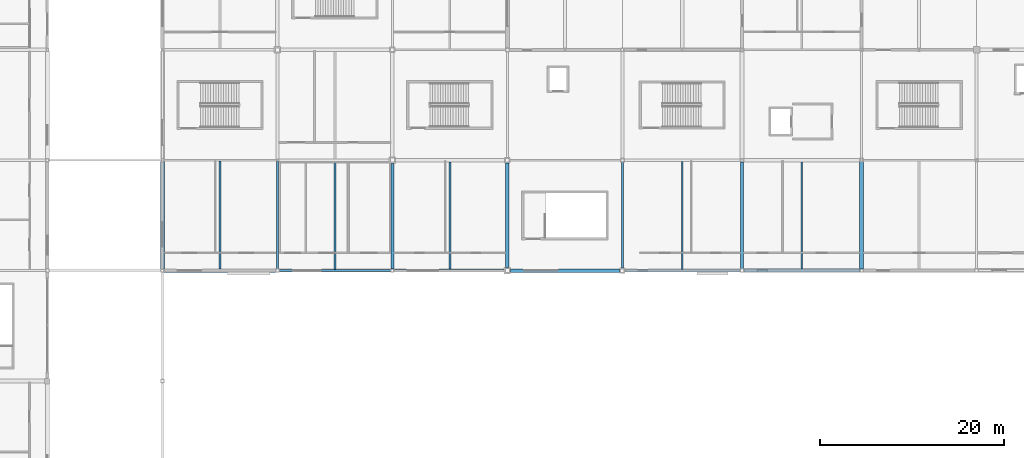
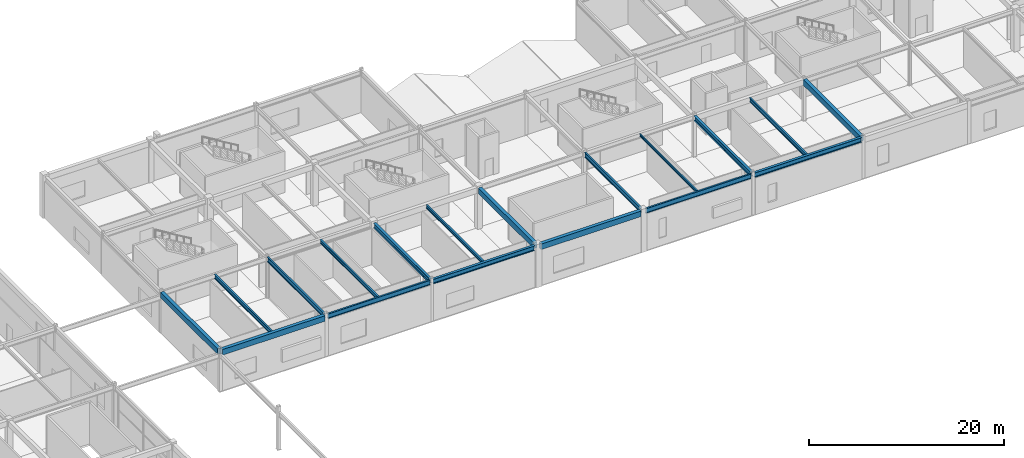
# One storey, part 41 of 105: 18 beams.
"""IFC4 building model written with IfcOpenShell, lengths in metres."""

from ifc_helpers import new_model, si_unit, direction, frame, origin, origin_2d, place, context, subcontext, project, spatial, rectangle, i_section, extrude, material, material_profile, profile_set, type_object, element, save


model = new_model("IFC4")

# Units and contexts
model_context = context("Model", 3, precision=1e-05, world=origin(), true_north=direction((0.0, 1.0)))
body_context = subcontext(model_context, "Body", "Model", "MODEL_VIEW")
ifc_project = project(units=[si_unit("LENGTHUNIT", "METRE"), si_unit("AREAUNIT", "SQUARE_METRE"), si_unit("VOLUMEUNIT", "CUBIC_METRE"), si_unit("PLANEANGLEUNIT", "RADIAN"), si_unit("MASSUNIT", "GRAM", prefix="KILO")], contexts=[model_context])

# Site, building, storey
site_placement = place(None, origin())
site = spatial("IfcSite", under=ifc_project, at=site_placement, CompositionType="ELEMENT")
building_placement = place(site_placement, origin())
building = spatial("IfcBuilding", under=site, at=building_placement, Name="Kazenohara Klinker Stadium", CompositionType="ELEMENT")
storey_placement = place(building_placement, frame((0.0, 0.0, 20.39990234375)))
storey = spatial("IfcBuildingStorey", under=building, at=storey_placement, Name="L04", CompositionType="ELEMENT", Elevation=20.39990234375)

# Beams
ifc_material_1 = material(Name="Steel S355", Category="steel")
ifc_material_profile_1 = material_profile(ifc_material_1, i_section(OverallWidth=0.199951171875, OverallDepth=0.5, WebThickness=0.010009765625, FlangeThickness=0.01611328125, FilletRadius=0.012939453125, at=origin_2d()), Name="H-500x200x10x16")
ifc_profile_set_1 = profile_set([ifc_material_profile_1], Name="Steel S355")
beam_type_1 = type_object("IfcBeamType", Name="BM-JST01", PredefinedType="JOIST", material=ifc_profile_set_1)
beam_1_placement = place(storey_placement, frame((55.25, 132.199951171875, 4.93017578125), z_axis=(0.0, 1.0, 0.0), x_axis=(-1.0, 0.0, 0.0)))
element("IfcBeam", 1, at=beam_1_placement, inside=storey, type_object=beam_type_1, Name="Secondary floor joist SJ01 L04 5/M", PredefinedType="JOIST", context=body_context, shape_type="SweptSolid", body=[
    extrude(i_section(OverallWidth=0.199951171875, OverallDepth=0.5, WebThickness=0.010009765625, FlangeThickness=0.01611328125, FilletRadius=0.012939453125, at=origin_2d()), origin(), (0.0, 0.0, 1.0), 11.699951171875),
])
beam_2_placement = place(storey_placement, frame((118.5, 132.14990234375, 4.93017578125), z_axis=(0.0, 1.0, 0.0), x_axis=(-1.0, 0.0, 0.0)))
element("IfcBeam", 2, at=beam_2_placement, inside=storey, type_object=beam_type_1, Name="Secondary floor joist SJ01 L04 10/M", PredefinedType="JOIST", context=body_context, shape_type="SweptSolid", body=[
    extrude(i_section(OverallWidth=0.199951171875, OverallDepth=0.5, WebThickness=0.010009765625, FlangeThickness=0.01611328125, FilletRadius=0.012939453125, at=origin_2d()), origin(), (0.0, 0.0, 1.0), 11.650146484375),
])
ifc_material_profile_2 = material_profile(ifc_material_1, i_section(OverallWidth=0.199951171875, OverallDepth=0.449951171875, WebThickness=0.009033203125, FlangeThickness=0.013916015625, FilletRadius=0.012939453125, at=origin_2d()), Name="H-450x200x9x14")
ifc_profile_set_2 = profile_set([ifc_material_profile_2], Name="Steel S355")
beam_type_2 = type_object("IfcBeamType", Name="BM-JST02", PredefinedType="JOIST", material=ifc_profile_set_2)
beam_3_placement = place(storey_placement, frame((67.75, 132.10009765625, 4.955078125), z_axis=(0.0, 1.0, 0.0), x_axis=(-1.0, 0.0, 0.0)))
element("IfcBeam", 3, at=beam_3_placement, inside=storey, type_object=beam_type_2, Name="Secondary floor joist SJ02 L04 6/M", PredefinedType="JOIST", context=body_context, shape_type="SweptSolid", body=[
    extrude(i_section(OverallWidth=0.199951171875, OverallDepth=0.449951171875, WebThickness=0.009033203125, FlangeThickness=0.013916015625, FilletRadius=0.012939453125, at=origin_2d()), origin(), (0.0, 0.0, 1.0), 11.75),
])
ifc_material_profile_3 = material_profile(ifc_material_1, i_section(OverallWidth=0.199951171875, OverallDepth=0.39990234375, WebThickness=0.008056640625, FlangeThickness=0.012939453125, FilletRadius=0.012939453125, at=origin_2d()), Name="H-400x200x8x13")
ifc_profile_set_3 = profile_set([ifc_material_profile_3], Name="Steel S355")
beam_type_3 = type_object("IfcBeamType", Name="BM-JST03", PredefinedType="JOIST", material=ifc_profile_set_3)
beam_4_placement = place(storey_placement, frame((80.25, 132.14990234375, 4.97998046875), z_axis=(0.0, 1.0, 0.0), x_axis=(-1.0, 0.0, 0.0)))
element("IfcBeam", 4, at=beam_4_placement, inside=storey, type_object=beam_type_3, Name="Secondary floor joist SJ03 L04 7/M", PredefinedType="JOIST", context=body_context, shape_type="SweptSolid", body=[
    extrude(i_section(OverallWidth=0.199951171875, OverallDepth=0.39990234375, WebThickness=0.008056640625, FlangeThickness=0.012939453125, FilletRadius=0.012939453125, at=origin_2d()), origin(), (0.0, 0.0, 1.0), 11.650146484375),
])
ifc_material_profile_4 = material_profile(ifc_material_1, i_section(OverallWidth=0.14990234375, OverallDepth=0.300048828125, WebThickness=0.006591796875, FlangeThickness=0.009033203125, FilletRadius=0.012939453125, at=origin_2d()), Name="H-300x150x6.5x9")
ifc_profile_set_4 = profile_set([ifc_material_profile_4], Name="Steel S355")
beam_type_4 = type_object("IfcBeamType", Name="BM-JST05", PredefinedType="JOIST", material=ifc_profile_set_4)
beam_5_placement = place(storey_placement, frame((105.5, 132.10009765625, 5.030029296875), z_axis=(0.0, 1.0, 0.0), x_axis=(-1.0, 0.0, 0.0)))
element("IfcBeam", 5, at=beam_5_placement, inside=storey, type_object=beam_type_4, Name="Secondary floor joist SJ05 L04 9/M", PredefinedType="JOIST", context=body_context, shape_type="SweptSolid", body=[
    extrude(i_section(OverallWidth=0.14990234375, OverallDepth=0.300048828125, WebThickness=0.006591796875, FlangeThickness=0.009033203125, FilletRadius=0.012939453125, at=origin_2d()), origin(), (0.0, 0.0, 1.0), 11.75),
])
ifc_material_2 = material(Name="Concrete C40/50", Category="concrete")
ifc_material_profile_5 = material_profile(ifc_material_2, rectangle(XDim=0.39990234375, YDim=0.699951171875, at=origin_2d()), Name="RC-BM-400x700")
ifc_profile_set_5 = profile_set([ifc_material_profile_5], Name="Concrete C40/50")
beam_type_5 = type_object("IfcBeamType", Name="BM-RC04", PredefinedType="BEAM", material=ifc_profile_set_5)
beam_6_placement = place(storey_placement, frame((49.175048828125, 132.0, 4.830078125), z_axis=(1.0, 0.0, 0.0), x_axis=(0.0, 1.0, 0.0)))
element("IfcBeam", 6, at=beam_6_placement, inside=storey, type_object=beam_type_5, Name="Primary girder BG04 L04 5-6/M", PredefinedType="BEAM", context=body_context, shape_type="SweptSolid", body=[
    extrude(rectangle(XDim=0.39990234375, YDim=0.699951171875, at=origin_2d()), origin(), (0.0, 0.0, 1.0), 12.125),
])
beam_7_placement = place(storey_placement, frame((86.85009765625, 132.0, 4.830078125), z_axis=(1.0, 0.0, 0.0), x_axis=(0.0, 1.0, 0.0)))
element("IfcBeam", 7, at=beam_7_placement, inside=storey, type_object=beam_type_5, Name="Primary girder BG04 L04 8-9/M", PredefinedType="BEAM", context=body_context, shape_type="SweptSolid", body=[
    extrude(rectangle(XDim=0.39990234375, YDim=0.699951171875, at=origin_2d()), origin(), (0.0, 0.0, 1.0), 11.849853515625),
])
beam_8_placement = place(storey_placement, frame((49.0, 132.175048828125, 4.830078125), z_axis=(0.0, 1.0, 0.0), x_axis=(-1.0, 0.0, 0.0)))
element("IfcBeam", 8, at=beam_8_placement, inside=storey, type_object=beam_type_5, Name="Primary girder BG04 L04 5/M-N", PredefinedType="BEAM", context=body_context, shape_type="SweptSolid", body=[
    extrude(rectangle(XDim=0.39990234375, YDim=0.699951171875, at=origin_2d()), origin(), (0.0, 0.0, 1.0), 11.675048828125),
])
beam_9_placement = place(storey_placement, frame((86.5, 132.35009765625, 4.830078125), z_axis=(0.0, 1.0, 0.0), x_axis=(-1.0, 0.0, 0.0)))
element("IfcBeam", 9, at=beam_9_placement, inside=storey, type_object=beam_type_5, Name="Primary girder BG04 L04 8/M-N", PredefinedType="BEAM", context=body_context, shape_type="SweptSolid", body=[
    extrude(rectangle(XDim=0.39990234375, YDim=0.699951171875, at=origin_2d()), origin(), (0.0, 0.0, 1.0), 11.349853515625),
])
beam_10_placement = place(storey_placement, frame((125.0, 132.175048828125, 4.830078125), z_axis=(0.0, 1.0, 0.0), x_axis=(-1.0, 0.0, 0.0)))
element("IfcBeam", 10, at=beam_10_placement, inside=storey, type_object=beam_type_5, Name="Primary girder BG04 L04 11/M-N", PredefinedType="BEAM", context=body_context, shape_type="SweptSolid", body=[
    extrude(rectangle(XDim=0.39990234375, YDim=0.699951171875, at=origin_2d()), origin(), (0.0, 0.0, 1.0), 11.675048828125),
])
ifc_material_profile_6 = material_profile(ifc_material_1, i_section(OverallWidth=0.199951171875, OverallDepth=0.60009765625, WebThickness=0.010986328125, FlangeThickness=0.01708984375, FilletRadius=0.012939453125, at=origin_2d()), Name="H-600x200x11x17")
ifc_profile_set_6 = profile_set([ifc_material_profile_6], Name="Steel S355")
beam_type_6 = type_object("IfcBeamType", Name="BM-ST04", PredefinedType="BEAM", material=ifc_profile_set_6)
beam_11_placement = place(storey_placement, frame((61.699951171875, 132.0, 4.880126953125), z_axis=(1.0, 0.0, 0.0), x_axis=(0.0, 1.0, 0.0)))
element("IfcBeam", 11, at=beam_11_placement, inside=storey, type_object=beam_type_6, Name="Primary girder SB04 L04 6-7/M", PredefinedType="BEAM", context=body_context, shape_type="SweptSolid", body=[
    extrude(i_section(OverallWidth=0.199951171875, OverallDepth=0.60009765625, WebThickness=0.010986328125, FlangeThickness=0.01708984375, FilletRadius=0.012939453125, at=origin_2d()), origin(), (0.0, 0.0, 1.0), 12.125),
])
beam_12_placement = place(storey_placement, frame((99.300048828125, 132.0, 4.880126953125), z_axis=(1.0, 0.0, 0.0), x_axis=(0.0, 1.0, 0.0)))
element("IfcBeam", 12, at=beam_12_placement, inside=storey, type_object=beam_type_6, Name="Primary girder SB04 L04 9-10/M", PredefinedType="BEAM", context=body_context, shape_type="SweptSolid", body=[
    extrude(i_section(OverallWidth=0.199951171875, OverallDepth=0.60009765625, WebThickness=0.010986328125, FlangeThickness=0.01708984375, FilletRadius=0.012939453125, at=origin_2d()), origin(), (0.0, 0.0, 1.0), 12.5),
])
beam_13_placement = place(storey_placement, frame((61.5, 132.199951171875, 4.880126953125), z_axis=(0.0, 1.0, 0.0), x_axis=(-1.0, 0.0, 0.0)))
element("IfcBeam", 13, at=beam_13_placement, inside=storey, type_object=beam_type_6, Name="Primary girder SB04 L04 6/M-N", PredefinedType="BEAM", context=body_context, shape_type="SweptSolid", body=[
    extrude(i_section(OverallWidth=0.199951171875, OverallDepth=0.60009765625, WebThickness=0.010986328125, FlangeThickness=0.01708984375, FilletRadius=0.012939453125, at=origin_2d()), origin(), (0.0, 0.0, 1.0), 11.675048828125),
])
beam_14_placement = place(storey_placement, frame((99.0, 132.300048828125, 4.880126953125), z_axis=(0.0, 1.0, 0.0), x_axis=(-1.0, 0.0, 0.0)))
element("IfcBeam", 14, at=beam_14_placement, inside=storey, type_object=beam_type_6, Name="Primary girder SB04 L04 9/M-N", PredefinedType="BEAM", context=body_context, shape_type="SweptSolid", body=[
    extrude(i_section(OverallWidth=0.199951171875, OverallDepth=0.60009765625, WebThickness=0.010986328125, FlangeThickness=0.01708984375, FilletRadius=0.012939453125, at=origin_2d()), origin(), (0.0, 0.0, 1.0), 11.5),
])
ifc_material_profile_7 = material_profile(ifc_material_1, i_section(OverallWidth=0.300048828125, OverallDepth=0.587890625, WebThickness=0.011962890625, FlangeThickness=0.02001953125, FilletRadius=0.02197265625, at=origin_2d()), Name="H-588x300x12x20")
ifc_profile_set_7 = profile_set([ifc_material_profile_7], Name="Steel S355")
beam_type_7 = type_object("IfcBeamType", Name="BM-ST05", PredefinedType="BEAM", material=ifc_profile_set_7)
beam_15_placement = place(storey_placement, frame((74.175048828125, 132.0, 4.885986328125), z_axis=(1.0, 0.0, 0.0), x_axis=(0.0, 1.0, 0.0)))
element("IfcBeam", 15, at=beam_15_placement, inside=storey, type_object=beam_type_7, Name="Primary girder SB05 L04 7-8/M", PredefinedType="BEAM", context=body_context, shape_type="SweptSolid", body=[
    extrude(i_section(OverallWidth=0.300048828125, OverallDepth=0.587890625, WebThickness=0.011962890625, FlangeThickness=0.02001953125, FilletRadius=0.02197265625, at=origin_2d()), origin(), (0.0, 0.0, 1.0), 11.974853515625),
])
beam_16_placement = place(storey_placement, frame((112.199951171875, 132.0, 4.885986328125), z_axis=(1.0, 0.0, 0.0), x_axis=(0.0, 1.0, 0.0)))
element("IfcBeam", 16, at=beam_16_placement, inside=storey, type_object=beam_type_7, Name="Primary girder SB05 L04 10-11/M", PredefinedType="BEAM", context=body_context, shape_type="SweptSolid", body=[
    extrude(i_section(OverallWidth=0.300048828125, OverallDepth=0.587890625, WebThickness=0.011962890625, FlangeThickness=0.02001953125, FilletRadius=0.02197265625, at=origin_2d()), origin(), (0.0, 0.0, 1.0), 12.625),
])
beam_17_placement = place(storey_placement, frame((74.0, 132.175048828125, 4.885986328125), z_axis=(0.0, 1.0, 0.0), x_axis=(-1.0, 0.0, 0.0)))
element("IfcBeam", 17, at=beam_17_placement, inside=storey, type_object=beam_type_7, Name="Primary girder SB05 L04 7/M-N", PredefinedType="BEAM", context=body_context, shape_type="SweptSolid", body=[
    extrude(i_section(OverallWidth=0.300048828125, OverallDepth=0.587890625, WebThickness=0.011962890625, FlangeThickness=0.02001953125, FilletRadius=0.02197265625, at=origin_2d()), origin(), (0.0, 0.0, 1.0), 11.474853515625),
])
beam_18_placement = place(storey_placement, frame((112.0, 132.199951171875, 4.885986328125), z_axis=(0.0, 1.0, 0.0), x_axis=(-1.0, 0.0, 0.0)))
element("IfcBeam", 18, at=beam_18_placement, inside=storey, type_object=beam_type_7, Name="Primary girder SB05 L04 10/M-N", PredefinedType="BEAM", context=body_context, shape_type="SweptSolid", body=[
    extrude(i_section(OverallWidth=0.300048828125, OverallDepth=0.587890625, WebThickness=0.011962890625, FlangeThickness=0.02001953125, FilletRadius=0.02197265625, at=origin_2d()), origin(), (0.0, 0.0, 1.0), 11.625),
])

save(model, "model.ifc")
